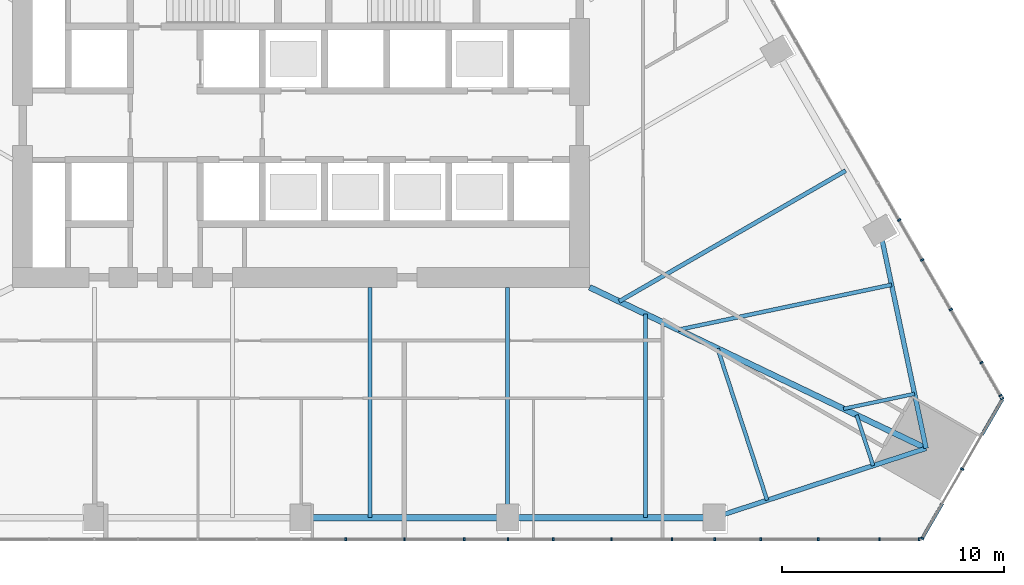
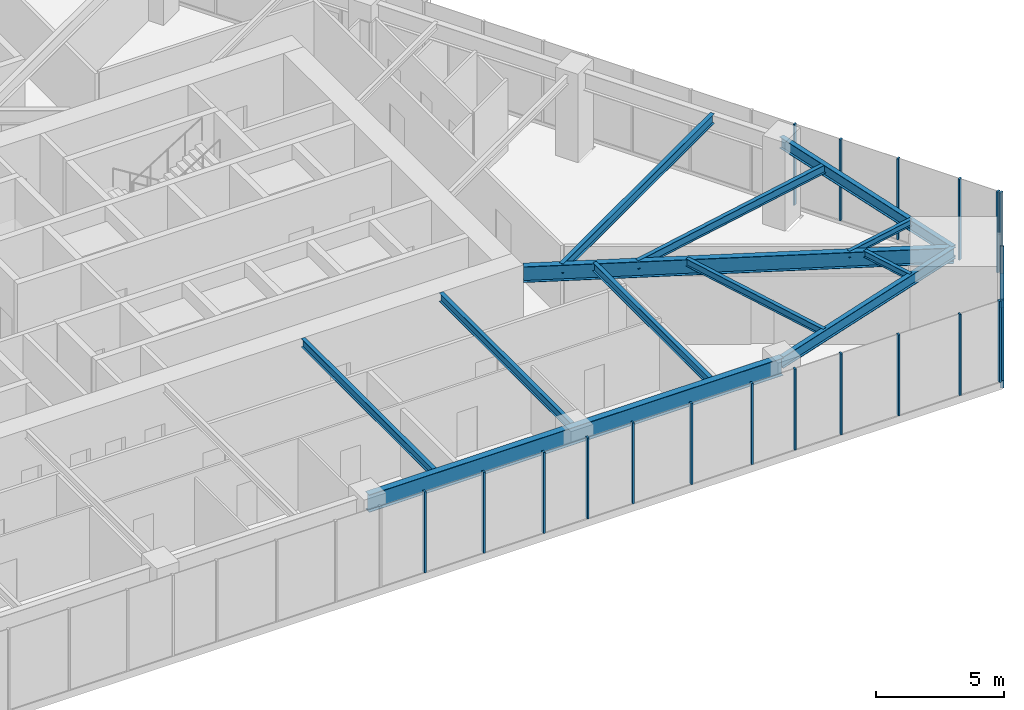
# One storey, part 6 of 26: 22 members, 12 beams, 3 elements without a shape of their own.
"""IFC4 building model written with IfcOpenShell, lengths in metres."""

import ifcopenshell
import ifcopenshell.guid

model = None  # the IFC model being written
_history = None  # IfcOwnerHistory: only IFC2X3 demands one
_inside = {}  # id of a spatial element -> (the spatial element, [elements in it])
_under = {}  # id of a project, library or spatial element -> (it, [spatial elements below it])
_declared = {}  # id of a project -> (the project, [libraries it declares])
_typed = {}  # id of a type object -> (the type object, [elements of that type])
_made_of = {}  # id of a material, layer set ... -> (it, [elements and type objects made of it])


def new_model(schema):
    """Start an empty IFC model of exactly this schema.

    Asked for "IFC4X3", IfcOpenShell would pick the latest addendum, in which some entities
    have other attributes; the version numbers below select the first issue.
    IFC2X3 requires an IfcOwnerHistory on every rooted entity: one is made here for all.
    """
    global model, _history
    if schema == "IFC4X3":
        model = ifcopenshell.file(schema_version=(4, 3, 0, 0))
    else:
        model = ifcopenshell.file(schema=schema)
    _inside.clear()
    _under.clear()
    _declared.clear()
    _typed.clear()
    _made_of.clear()
    _history = None
    if model.schema == "IFC2X3":
        org = make("IfcOrganization", Name="unknown")
        user = make(
            "IfcPersonAndOrganization",
            ThePerson=make("IfcPerson", FamilyName="unknown"),
            TheOrganization=org,
        )
        app = make(
            "IfcApplication",
            ApplicationDeveloper=org,
            Version="unknown",
            ApplicationFullName="unknown",
            ApplicationIdentifier="unknown",
        )
        _history = make(
            "IfcOwnerHistory",
            OwningUser=user,
            OwningApplication=app,
            ChangeAction="ADDED",
            CreationDate=0,
        )
    return model


def make(cls, **values):
    """One entity of the class cls with the attributes given. An attribute that is None is left unset."""
    return model.create_entity(
        cls, **{name: value for name, value in values.items() if value is not None}
    )


def rooted(cls, **values):
    """An entity with a GlobalId (a new one), such as an element, a storey or a relation."""
    return make(cls, GlobalId=ifcopenshell.guid.new(), OwnerHistory=_history, **values)


def si_unit(unit_type, name, prefix=None):
    """IfcSIUnit, for example si_unit("LENGTHUNIT", "METRE", prefix="MILLI")."""
    return make("IfcSIUnit", UnitType=unit_type, Prefix=prefix, Name=name)


def assignment(units):
    """IfcUnitAssignment: the units of a project."""
    return None if units is None else make("IfcUnitAssignment", Units=units)


def point(xyz):
    """IfcCartesianPoint."""
    return None if xyz is None else make("IfcCartesianPoint", Coordinates=xyz)


def direction(xyz):
    """IfcDirection."""
    return None if xyz is None else make("IfcDirection", DirectionRatios=xyz)


def frame(location, z_axis=None, x_axis=None):
    """IfcAxis2Placement3D, a coordinate frame: its origin and axes. An axis left out is left unset."""
    return make(
        "IfcAxis2Placement3D",
        Location=point(location),
        Axis=direction(z_axis),
        RefDirection=direction(x_axis),
    )


def frame_2d(location, x_axis=None):
    """IfcAxis2Placement2D, a coordinate frame in the plane: its origin and x axis."""
    return make(
        "IfcAxis2Placement2D", Location=point(location), RefDirection=direction(x_axis)
    )


def origin():
    """The frame at (0, 0, 0) with its axes left unset."""
    return frame((0.0, 0.0, 0.0))


def origin_2d():
    """The frame at (0, 0) in the plane with its x axis left unset."""
    return frame_2d((0.0, 0.0))


def place(relative_to, where):
    """IfcLocalPlacement: puts the frame where relative to a parent placement (None: the world)."""
    return make(
        "IfcLocalPlacement", PlacementRelTo=relative_to, RelativePlacement=where
    )


def context(
    kind, dimensions, precision=None, world=None, true_north=None, identifier=None
):
    """IfcGeometricRepresentationContext, for example the 3D "Model" context."""
    return make(
        "IfcGeometricRepresentationContext",
        ContextIdentifier=identifier,
        ContextType=kind,
        CoordinateSpaceDimension=dimensions,
        Precision=precision,
        WorldCoordinateSystem=world,
        TrueNorth=true_north,
    )


def subcontext(parent, identifier, kind, view, scale=None):
    """IfcGeometricRepresentationSubContext, for example "Body" below "Model"."""
    return make(
        "IfcGeometricRepresentationSubContext",
        ContextIdentifier=identifier,
        ContextType=kind,
        ParentContext=parent,
        TargetScale=scale,
        TargetView=view,
    )


def project(units=None, contexts=None):
    """IfcProject with its units and contexts."""
    return rooted(
        "IfcProject",
        Name="project",
        RepresentationContexts=contexts,
        UnitsInContext=assignment(units),
    )


def spatial(cls, under=None, at=None, **own):
    """A site, building, storey or space (cls), placed at a placement, below another one or the project."""
    s = rooted(cls, ObjectPlacement=at, **own)
    if under is not None:
        _under.setdefault(under.id(), (under, []))[1].append(s)
    return s


def profile(cls, at=None, kind="AREA", **sizes):
    """A parametric profile (cls). Its sizes go by their IFC names, for example OverallWidth=200.0."""
    return make(cls, ProfileType=kind, Position=at, **sizes)


def rectangle(**sizes):
    """IfcRectangleProfileDef."""
    return profile("IfcRectangleProfileDef", **sizes)


def i_section(**sizes):
    """IfcIShapeProfileDef."""
    return profile("IfcIShapeProfileDef", **sizes)


def extrude(swept, where, along, depth):
    """IfcExtrudedAreaSolid: the profile swept, set in the frame where, extruded along a direction by depth."""
    return make(
        "IfcExtrudedAreaSolid",
        SweptArea=swept,
        Position=where,
        ExtrudedDirection=direction(along),
        Depth=depth,
    )


def shape(context_of_items, identifier, shape_type, items):
    """IfcShapeRepresentation: the items that make up one representation, for example the "Body"."""
    return make(
        "IfcShapeRepresentation",
        ContextOfItems=context_of_items,
        RepresentationIdentifier=identifier,
        RepresentationType=shape_type,
        Items=items,
    )


def material(Name=None, Category=None):
    """IfcMaterial."""
    return make("IfcMaterial", Name=Name, Category=Category)


def layer(
    of_material, thickness, ventilated=None, Name=None, Category=None, Priority=None
):
    """IfcMaterialLayer: one layer of a wall or slab, of a material (None: an air gap)."""
    return make(
        "IfcMaterialLayer",
        Material=of_material,
        LayerThickness=thickness,
        IsVentilated=ventilated,
        Name=Name,
        Category=Category,
        Priority=Priority,
    )


def layer_set(layers, Name=None):
    """IfcMaterialLayerSet."""
    return make("IfcMaterialLayerSet", MaterialLayers=layers, LayerSetName=Name)


def material_profile(
    of_material, cross_section, Name=None, Category=None, Priority=None
):
    """IfcMaterialProfile: a cross section and its material."""
    return make(
        "IfcMaterialProfile",
        Name=Name,
        Material=of_material,
        Profile=cross_section,
        Priority=Priority,
        Category=Category,
    )


def profile_set(profiles, Name=None, composite=None):
    """IfcMaterialProfileSet."""
    return make(
        "IfcMaterialProfileSet",
        Name=Name,
        MaterialProfiles=profiles,
        CompositeProfile=composite,
    )


def made_of(thing, what):
    """Note that an element or type object is made of a material, layer set ...; save() writes the relation."""
    if what is not None:
        _made_of.setdefault(what.id(), (what, []))[1].append(thing)
    return thing


def type_object(cls, material=None, **own):
    """A type object (cls), such as IfcWallType, which elements share."""
    return made_of(rooted(cls, **own), material)


def element(
    cls,
    number,
    at=None,
    inside=None,
    cuts=None,
    type_object=None,
    material=None,
    context=None,
    identifier="Body",
    shape_type=None,
    held_by="IfcProductDefinitionShape",
    body=None,
    shapes=None,
    **own,
):
    """One element of the class cls, such as IfcWall. Its Tag is "e" and its number.

    at: its placement. inside: the storey or other place that contains it. cuts: it is an
    opening in that element (IfcRelVoidsElement). A single representation is given by context,
    identifier, shape_type and body (its items); several are given by shapes. held_by: the class
    of the entity that holds the representations. save() writes the other relations.
    """
    e = rooted(cls, Tag="e%d" % number, ObjectPlacement=at, **own)
    if body is not None:
        shapes = [shape(context, identifier, shape_type, body)]
    if shapes is not None:
        e.Representation = make(held_by, Representations=shapes)
    if inside is not None:
        _inside.setdefault(inside.id(), (inside, []))[1].append(e)
    if cuts is not None:
        rooted(
            "IfcRelVoidsElement", RelatingBuildingElement=cuts, RelatedOpeningElement=e
        )
    if type_object is not None:
        _typed.setdefault(type_object.id(), (type_object, []))[1].append(e)
    return made_of(e, material)


def aggregate(whole, parts):
    """IfcRelAggregates: a whole, such as a stair, and the parts it consists of."""
    return rooted("IfcRelAggregates", RelatingObject=whole, RelatedObjects=parts)


def save(model, path):
    """Write the relations noted so far, then the file.

    IfcRelAggregates (storeys below a building ...), IfcRelContainedInSpatialStructure (elements
    in a storey), IfcRelDefinesByType, IfcRelAssociatesMaterial and IfcRelDeclares: one each for
    every whole, place, type object, material and project.
    """
    for whole, parts in _under.values():
        aggregate(whole, parts)
    for where, things in _inside.values():
        rooted(
            "IfcRelContainedInSpatialStructure",
            RelatedElements=things,
            RelatingStructure=where,
        )
    for kind, things in _typed.values():
        rooted("IfcRelDefinesByType", RelatedObjects=things, RelatingType=kind)
    for what, things in _made_of.values():
        rooted("IfcRelAssociatesMaterial", RelatedObjects=things, RelatingMaterial=what)
    for by, libraries in _declared.values():
        rooted("IfcRelDeclares", RelatingContext=by, RelatedDefinitions=libraries)
    model.write(path)


model = new_model("IFC4")

# Units and contexts
model_context = context("Model", 3, precision=1e-05, world=origin(), true_north=direction((0.0, 1.0)))
body_context = subcontext(model_context, "Body", "Model", "MODEL_VIEW")
ifc_project = project(units=[si_unit("LENGTHUNIT", "METRE"), si_unit("AREAUNIT", "SQUARE_METRE"), si_unit("VOLUMEUNIT", "CUBIC_METRE"), si_unit("PLANEANGLEUNIT", "RADIAN"), si_unit("MASSUNIT", "GRAM", prefix="KILO")], contexts=[model_context])

# Site, building, storey
site_placement = place(None, origin())
site = spatial("IfcSite", under=ifc_project, at=site_placement, CompositionType="ELEMENT")
building_placement = place(site_placement, origin())
building = spatial("IfcBuilding", under=site, at=building_placement, Name="Firuza Gate Tower and Library", CompositionType="ELEMENT")
storey_placement = place(building_placement, frame((0.0, 0.0, 115.60009765625)))
storey = spatial("IfcBuildingStorey", under=building, at=storey_placement, Name="L26", CompositionType="ELEMENT", Elevation=115.60009765625)

# Curtain wall, members
ifc_material_1 = material(Name="Aluminium 6063-T6", Category="aluminium")
ifc_layer_1 = layer(ifc_material_1, 0.14990234375)
ifc_layer_set_1 = layer_set([ifc_layer_1], Name="Unitised curtain wall, offices")
curtain_wall_type_1 = type_object("IfcCurtainWallType", Name="Unitised curtain wall, offices", PredefinedType="NOTDEFINED", material=ifc_layer_set_1)
placement = place(storey_placement, origin())
curtain_wall_1 = element("IfcCurtainWall", 1, at=placement, inside=storey, type_object=curtain_wall_type_1, Name="CW1 L26 S face", PredefinedType="NOTDEFINED")
ifc_material_2 = material(Name="Aluminium 6063-T6", Category="aluminium")
ifc_material_profile_1 = material_profile(ifc_material_2, rectangle(XDim=0.14990234375, YDim=0.080078125, at=origin_2d()))
ifc_profile_set_1 = profile_set([ifc_material_profile_1], Name="Aluminium 6063-T6")
member_type_1 = type_object("IfcMemberType", Name="Curtain wall mullion 80x150", PredefinedType="MULLION", material=ifc_profile_set_1)
member_1_placement = place(storey_placement, frame((79.65966796875, 54.6513671875, 0.14990234375), z_axis=(0.0, 0.0, 1.0), x_axis=(0.0, 1.0, 0.0)))
member_1 = element("IfcMember", 2, at=member_1_placement, type_object=member_type_1, Name="Mullion", PredefinedType="MULLION", context=body_context, shape_type="SweptSolid", body=[
    extrude(rectangle(XDim=0.14990234375, YDim=0.080078125, at=origin_2d()), origin(), (0.0, 0.0, 1.0), 3.85009765625),
])
member_2_placement = place(storey_placement, frame((84.319580078125, 54.6513671875, 0.14990234375), z_axis=(0.0, 0.0, 1.0), x_axis=(0.0, 1.0, 0.0)))
member_2 = element("IfcMember", 3, at=member_2_placement, type_object=member_type_1, Name="Mullion", PredefinedType="MULLION", context=body_context, shape_type="SweptSolid", body=[
    extrude(rectangle(XDim=0.14990234375, YDim=0.080078125, at=origin_2d()), origin(), (0.0, 0.0, 1.0), 3.85009765625),
])
member_3_placement = place(storey_placement, frame((88.979248046875, 54.6513671875, 0.14990234375), z_axis=(0.0, 0.0, 1.0), x_axis=(0.0, 1.0, 0.0)))
member_3 = element("IfcMember", 4, at=member_3_placement, type_object=member_type_1, Name="Mullion", PredefinedType="MULLION", context=body_context, shape_type="SweptSolid", body=[
    extrude(rectangle(XDim=0.14990234375, YDim=0.080078125, at=origin_2d()), origin(), (0.0, 0.0, 1.0), 3.85009765625),
])
member_4_placement = place(storey_placement, frame((93.638916015625, 54.6513671875, 0.14990234375), z_axis=(0.0, 0.0, 1.0), x_axis=(0.0, 1.0, 0.0)))
member_4 = element("IfcMember", 5, at=member_4_placement, type_object=member_type_1, Name="Mullion", PredefinedType="MULLION", context=body_context, shape_type="SweptSolid", body=[
    extrude(rectangle(XDim=0.14990234375, YDim=0.080078125, at=origin_2d()), origin(), (0.0, 0.0, 1.0), 3.85009765625),
])
member_5_placement = place(storey_placement, frame((98.298828125, 54.6513671875, 0.14990234375), z_axis=(0.0, 0.0, 1.0), x_axis=(0.0, 1.0, 0.0)))
member_5 = element("IfcMember", 6, at=member_5_placement, type_object=member_type_1, Name="Mullion", PredefinedType="MULLION", context=body_context, shape_type="SweptSolid", body=[
    extrude(rectangle(XDim=0.14990234375, YDim=0.080078125, at=origin_2d()), origin(), (0.0, 0.0, 1.0), 3.85009765625),
])
member_6_placement = place(storey_placement, frame((77.00439453125, 54.6513671875, 0.14990234375), z_axis=(0.0, 0.0, 1.0), x_axis=(0.0, 1.0, 0.0)))
member_6 = element("IfcMember", 7, at=member_6_placement, type_object=member_type_1, Name="Mullion", PredefinedType="MULLION", context=body_context, shape_type="SweptSolid", body=[
    extrude(rectangle(XDim=0.14990234375, YDim=0.080078125, at=origin_2d()), origin(), (0.0, 0.0, 1.0), 3.85009765625),
])
member_7_placement = place(storey_placement, frame((82.349853515625, 54.6513671875, 0.14990234375), z_axis=(0.0, 0.0, 1.0), x_axis=(0.0, 1.0, 0.0)))
member_7 = element("IfcMember", 8, at=member_7_placement, type_object=member_type_1, Name="Mullion", PredefinedType="MULLION", context=body_context, shape_type="SweptSolid", body=[
    extrude(rectangle(XDim=0.14990234375, YDim=0.080078125, at=origin_2d()), origin(), (0.0, 0.0, 1.0), 3.85009765625),
])
member_8_placement = place(storey_placement, frame((86.358642578125, 54.6513671875, 0.14990234375), z_axis=(0.0, 0.0, 1.0), x_axis=(0.0, 1.0, 0.0)))
member_8 = element("IfcMember", 9, at=member_8_placement, type_object=member_type_1, Name="Mullion", PredefinedType="MULLION", context=body_context, shape_type="SweptSolid", body=[
    extrude(rectangle(XDim=0.14990234375, YDim=0.080078125, at=origin_2d()), origin(), (0.0, 0.0, 1.0), 3.85009765625),
])
member_9_placement = place(storey_placement, frame((91.7041015625, 54.6513671875, 0.14990234375), z_axis=(0.0, 0.0, 1.0), x_axis=(0.0, 1.0, 0.0)))
member_9 = element("IfcMember", 10, at=member_9_placement, type_object=member_type_1, Name="Mullion", PredefinedType="MULLION", context=body_context, shape_type="SweptSolid", body=[
    extrude(rectangle(XDim=0.14990234375, YDim=0.080078125, at=origin_2d()), origin(), (0.0, 0.0, 1.0), 3.85009765625),
])
member_10_placement = place(storey_placement, frame((95.712646484375, 54.6513671875, 0.14990234375), z_axis=(0.0, 0.0, 1.0), x_axis=(0.0, 1.0, 0.0)))
member_10 = element("IfcMember", 11, at=member_10_placement, type_object=member_type_1, Name="Mullion", PredefinedType="MULLION", context=body_context, shape_type="SweptSolid", body=[
    extrude(rectangle(XDim=0.14990234375, YDim=0.080078125, at=origin_2d()), origin(), (0.0, 0.0, 1.0), 3.85009765625),
])
member_11_placement = place(storey_placement, frame((101.058349609375, 54.6513671875, 0.14990234375), z_axis=(0.0, 0.0, 1.0), x_axis=(0.0, 1.0, 0.0)))
member_11 = element("IfcMember", 12, at=member_11_placement, type_object=member_type_1, Name="Mullion", PredefinedType="MULLION", context=body_context, shape_type="SweptSolid", body=[
    extrude(rectangle(XDim=0.14990234375, YDim=0.080078125, at=origin_2d()), origin(), (0.0, 0.0, 1.0), 3.85009765625),
])
member_12_placement = place(storey_placement, frame((102.83984375, 54.6513671875, 0.14990234375), z_axis=(0.0, 0.0, 1.0), x_axis=(0.0, 1.0, 0.0)))
member_12 = element("IfcMember", 13, at=member_12_placement, type_object=member_type_1, Name="Mullion", PredefinedType="MULLION", context=body_context, shape_type="SweptSolid", body=[
    extrude(rectangle(XDim=0.14990234375, YDim=0.080078125, at=origin_2d()), origin(), (0.0, 0.0, 1.0), 3.85009765625),
])
aggregate(curtain_wall_1, [member_1, member_2, member_3, member_4, member_5, member_6, member_7, member_8, member_9, member_10, member_11, member_12])

ifc_material_3 = material(Name="Aluminium 6063-T6", Category="aluminium")
ifc_layer_2 = layer(ifc_material_3, 0.14990234375)
ifc_layer_set_2 = layer_set([ifc_layer_2], Name="Corner curtain wall, chamfers")
curtain_wall_type_2 = type_object("IfcCurtainWallType", Name="Corner curtain wall, chamfers", PredefinedType="NOTDEFINED", material=ifc_layer_set_2)
curtain_wall_2 = element("IfcCurtainWall", 14, at=placement, inside=storey, type_object=curtain_wall_type_2, Name="CW4 L26 SE corner", PredefinedType="NOTDEFINED")
member_13_placement = place(storey_placement, frame((102.978515625, 54.685791015625, 0.14990234375), z_axis=(0.0, 0.0, 1.0), x_axis=(-0.866025403784, 0.5, 0.0)))
member_13 = element("IfcMember", 15, at=member_13_placement, type_object=member_type_1, Name="Mullion", PredefinedType="MULLION", context=body_context, shape_type="SweptSolid", body=[
    extrude(rectangle(XDim=0.14990234375, YDim=0.080078125, at=origin_2d()), origin(), (0.0, 0.0, 1.0), 3.85009765625),
])
member_14_placement = place(storey_placement, frame((104.780029296875, 57.806396484375, 0.14990234375), z_axis=(0.0, 0.0, 1.0), x_axis=(-0.866025403784, 0.5, 0.0)))
member_14 = element("IfcMember", 16, at=member_14_placement, type_object=member_type_1, Name="Mullion", PredefinedType="MULLION", context=body_context, shape_type="SweptSolid", body=[
    extrude(rectangle(XDim=0.14990234375, YDim=0.080078125, at=origin_2d()), origin(), (0.0, 0.0, 1.0), 3.85009765625),
])

curtain_wall_3 = element("IfcCurtainWall", 17, at=placement, inside=storey, type_object=curtain_wall_type_1, Name="CW1 L26 E face", PredefinedType="NOTDEFINED")
member_15_placement = place(storey_placement, frame((106.581787109375, 60.996337890625, 0.14990234375), z_axis=(0.0, 0.0, 1.0), x_axis=(-0.866025403784, -0.5, 0.0)))
member_15 = element("IfcMember", 18, at=member_15_placement, type_object=member_type_1, Name="Mullion", PredefinedType="MULLION", context=body_context, shape_type="SweptSolid", body=[
    extrude(rectangle(XDim=0.14990234375, YDim=0.080078125, at=origin_2d()), origin(), (0.0, 0.0, 1.0), 3.85009765625),
])
member_16_placement = place(storey_placement, frame((104.27197265625, 64.9970703125, 0.14990234375), z_axis=(0.0, 0.0, 1.0), x_axis=(-0.866025403784, -0.5, 0.0)))
member_16 = element("IfcMember", 19, at=member_16_placement, type_object=member_type_1, Name="Mullion", PredefinedType="MULLION", context=body_context, shape_type="SweptSolid", body=[
    extrude(rectangle(XDim=0.14990234375, YDim=0.080078125, at=origin_2d()), origin(), (0.0, 0.0, 1.0), 3.85009765625),
])
member_17_placement = place(storey_placement, frame((101.942138671875, 69.032470703125, 0.14990234375), z_axis=(0.0, 0.0, 1.0), x_axis=(-0.866025403784, -0.5, 0.0)))
member_17 = element("IfcMember", 20, at=member_17_placement, type_object=member_type_1, Name="Mullion", PredefinedType="MULLION", context=body_context, shape_type="SweptSolid", body=[
    extrude(rectangle(XDim=0.14990234375, YDim=0.080078125, at=origin_2d()), origin(), (0.0, 0.0, 1.0), 3.85009765625),
])
member_18_placement = place(storey_placement, frame((106.510009765625, 61.12060546875, 0.14990234375), z_axis=(0.0, 0.0, 1.0), x_axis=(-0.866025403784, -0.5, 0.0)))
member_18 = element("IfcMember", 21, at=member_18_placement, type_object=member_type_1, Name="Mullion", PredefinedType="MULLION", context=body_context, shape_type="SweptSolid", body=[
    extrude(rectangle(XDim=0.14990234375, YDim=0.080078125, at=origin_2d()), origin(), (0.0, 0.0, 1.0), 3.85009765625),
])
member_19_placement = place(storey_placement, frame((105.651611328125, 62.607177734375, 0.14990234375), z_axis=(0.0, 0.0, 1.0), x_axis=(-0.866025403784, -0.5, 0.0)))
member_19 = element("IfcMember", 22, at=member_19_placement, type_object=member_type_1, Name="Mullion", PredefinedType="MULLION", context=body_context, shape_type="SweptSolid", body=[
    extrude(rectangle(XDim=0.14990234375, YDim=0.080078125, at=origin_2d()), origin(), (0.0, 0.0, 1.0), 3.85009765625),
])
member_20_placement = place(storey_placement, frame((102.97900390625, 67.236572265625, 0.14990234375), z_axis=(0.0, 0.0, 1.0), x_axis=(-0.866025403784, -0.5, 0.0)))
member_20 = element("IfcMember", 23, at=member_20_placement, type_object=member_type_1, Name="Mullion", PredefinedType="MULLION", context=body_context, shape_type="SweptSolid", body=[
    extrude(rectangle(XDim=0.14990234375, YDim=0.080078125, at=origin_2d()), origin(), (0.0, 0.0, 1.0), 3.85009765625),
])
aggregate(curtain_wall_3, [member_15, member_16, member_17, member_18, member_19, member_20])

# Member
ifc_material_4 = material(Name="Aluminium 6063-T6", Category="aluminium")
ifc_material_profile_2 = material_profile(ifc_material_4, rectangle(XDim=0.14990234375, YDim=0.35009765625, at=origin_2d()))
ifc_profile_set_2 = profile_set([ifc_material_profile_2], Name="Aluminium 6063-T6")
member_type_2 = type_object("IfcMemberType", Name="Curtain wall transom 350x150", PredefinedType="USERDEFINED", material=ifc_profile_set_2)
member_21_placement = place(storey_placement, frame((102.95849609375, 54.6513671875, -0.025146484375), z_axis=(0.499971966783, 0.866041588165, 0.0), x_axis=(-0.866041588165, 0.499971966783, 0.0)))
member_21 = element("IfcMember", 24, at=member_21_placement, type_object=member_type_2, Name="Transom", ObjectType="TRANSOM", PredefinedType="USERDEFINED", context=body_context, shape_type="SweptSolid", body=[
    extrude(rectangle(XDim=0.14990234375, YDim=0.35009765625, at=origin_2d()), origin(), (0.0, 0.0, 1.0), 1.86328125),
])

member_22_placement = place(storey_placement, frame((105.669921875, 59.34765625, -0.025146484375), z_axis=(0.500013496215, 0.866017611601, 0.0), x_axis=(-0.866017611601, 0.500013496215, 0.0)))
member_22 = element("IfcMember", 25, at=member_22_placement, type_object=member_type_2, Name="Transom", ObjectType="TRANSOM", PredefinedType="USERDEFINED", context=body_context, shape_type="SweptSolid", body=[
    extrude(rectangle(XDim=0.14990234375, YDim=0.35009765625, at=origin_2d()), origin(), (0.0, 0.0, 1.0), 1.86376953125),
])

aggregate(curtain_wall_2, [member_13, member_14, member_21, member_22])

# Beams
ifc_material_5 = material(Name="Steel S355", Category="steel")
ifc_material_profile_3 = material_profile(ifc_material_5, i_section(OverallWidth=0.1650390625, OverallDepth=0.31005859375, WebThickness=0.005859375, FlangeThickness=0.009765625, at=origin_2d()))
ifc_profile_set_3 = profile_set([ifc_material_profile_3], Name="Steel S355")
beam_type_1 = type_object("IfcBeamType", Name="W310x39 Floor beam", PredefinedType="JOIST", material=ifc_profile_set_3)
beam_1_placement = place(storey_placement, frame((100.769775390625, 57.964599609375, 3.844970703125), z_axis=(-0.31050698786, 0.95057109702, 0.0), x_axis=(-0.95057109702, -0.31050698786, 0.0)))
element("IfcBeam", 26, at=beam_1_placement, inside=storey, type_object=beam_type_1, Name="Floor beam L26 s31", PredefinedType="JOIST", context=body_context, shape_type="SweptSolid", body=[
    extrude(i_section(OverallWidth=0.1650390625, OverallDepth=0.31005859375, WebThickness=0.005859375, FlangeThickness=0.009765625, at=origin_2d()), origin(), (0.0, 0.0, 1.0), 2.396484375),
])
beam_2_placement = place(storey_placement, frame((102.637939453125, 61.200439453125, 3.844970703125), z_axis=(-0.978457064739, -0.206450411631, 0.0), x_axis=(0.206450411631, -0.978457064739, 0.0)))
element("IfcBeam", 27, at=beam_2_placement, inside=storey, type_object=beam_type_1, Name="Floor beam L26 s40", PredefinedType="JOIST", context=body_context, shape_type="SweptSolid", body=[
    extrude(i_section(OverallWidth=0.1650390625, OverallDepth=0.31005859375, WebThickness=0.005859375, FlangeThickness=0.009765625, at=origin_2d()), origin(), (0.0, 0.0, 1.0), 3.272216796875),
])
ifc_material_6 = material(Name="Steel S355", Category="steel")
ifc_material_profile_4 = material_profile(ifc_material_6, i_section(OverallWidth=0.1708984375, OverallDepth=0.35498046875, WebThickness=0.007080078125, FlangeThickness=0.01171875, at=origin_2d()))
ifc_profile_set_4 = profile_set([ifc_material_profile_4], Name="Steel S355")
beam_type_2 = type_object("IfcBeamType", Name="W360x51 Floor beam", PredefinedType="JOIST", material=ifc_profile_set_4)
beam_3_placement = place(storey_placement, frame((95.99658203125, 56.40576171875, 3.822509765625), z_axis=(-0.310435598009, 0.950594413769, 0.0), x_axis=(-0.950594413769, -0.310435598009, 0.0)))
element("IfcBeam", 28, at=beam_3_placement, inside=storey, type_object=beam_type_2, Name="Floor beam L26 s30", PredefinedType="JOIST", context=body_context, shape_type="SweptSolid", body=[
    extrude(i_section(OverallWidth=0.1708984375, OverallDepth=0.35498046875, WebThickness=0.007080078125, FlangeThickness=0.01171875, at=origin_2d()), origin(), (0.0, 0.0, 1.0), 7.189697265625),
])
ifc_material_7 = material(Name="Steel S355", Category="steel")
ifc_material_profile_5 = material_profile(ifc_material_7, i_section(OverallWidth=0.177978515625, OverallDepth=0.406982421875, WebThickness=0.0078125, FlangeThickness=0.0126953125, at=origin_2d()))
ifc_profile_set_5 = profile_set([ifc_material_profile_5], Name="Steel S355")
beam_type_3 = type_object("IfcBeamType", Name="W410x60 Floor beam", PredefinedType="JOIST", material=ifc_profile_set_5)
for number, where, z_axis, x_axis, name in (
    (29, (78.101806640625, 55.626220703125, 3.79638671875), (0.0, 1.0, 0.0), (-1.0, 0.0, 0.0), "Floor beam L26 s23"),
    (30, (84.30517578125, 55.626220703125, 3.79638671875), (0.0, 1.0, 0.0), (-1.0, 0.0, 0.0), "Floor beam L26 s24"),
):
    element("IfcBeam", number, at=place(storey_placement, frame(where, z_axis=z_axis, x_axis=x_axis)), inside=storey, type_object=beam_type_3, Name=name, PredefinedType="JOIST", context=body_context, shape_type="SweptSolid", body=[
        extrude(i_section(OverallWidth=0.177978515625, OverallDepth=0.406982421875, WebThickness=0.0078125, FlangeThickness=0.0126953125, at=origin_2d()), origin(), (0.0, 0.0, 1.0), 10.373779296875),
    ])
beam_4_placement = place(storey_placement, frame((90.508544921875, 55.626220703125, 3.79638671875), z_axis=(0.0, 1.0, 0.0), x_axis=(-1.0, 0.0, 0.0)))
element("IfcBeam", 31, at=beam_4_placement, inside=storey, type_object=beam_type_3, Name="Floor beam L26 s25", PredefinedType="JOIST", context=body_context, shape_type="SweptSolid", body=[
    extrude(i_section(OverallWidth=0.177978515625, OverallDepth=0.406982421875, WebThickness=0.0078125, FlangeThickness=0.0126953125, at=origin_2d()), origin(), (0.0, 0.0, 1.0), 9.1728515625),
])
beam_5_placement = place(storey_placement, frame((101.6015625, 66.113525390625, 3.79638671875), z_axis=(-0.978460244471, -0.206435340942, 0.0), x_axis=(0.206435340942, -0.978460244471, 0.0)))
element("IfcBeam", 32, at=beam_5_placement, inside=storey, type_object=beam_type_3, Name="Floor beam L26 s41", PredefinedType="JOIST", context=body_context, shape_type="SweptSolid", body=[
    extrude(i_section(OverallWidth=0.177978515625, OverallDepth=0.406982421875, WebThickness=0.0078125, FlangeThickness=0.0126953125, at=origin_2d()), origin(), (0.0, 0.0, 1.0), 9.817138671875),
])
ifc_material_8 = material(Name="Steel S355", Category="steel")
ifc_material_profile_6 = material_profile(ifc_material_8, i_section(OverallWidth=0.18994140625, OverallDepth=0.45703125, WebThickness=0.009033203125, FlangeThickness=0.014404296875, at=origin_2d()))
ifc_profile_set_6 = profile_set([ifc_material_profile_6], Name="Steel S355")
beam_type_4 = type_object("IfcBeamType", Name="W460x74 Floor beam", PredefinedType="JOIST", material=ifc_profile_set_6)
beam_6_placement = place(storey_placement, frame((99.532470703125, 71.256103515625, 3.771484375), z_axis=(-0.866031359964, -0.499989683453, 0.0), x_axis=(0.499989683453, -0.866031359964, 0.0)))
element("IfcBeam", 33, at=beam_6_placement, inside=storey, type_object=beam_type_4, Name="Floor beam L26 s50", PredefinedType="JOIST", context=body_context, shape_type="SweptSolid", body=[
    extrude(i_section(OverallWidth=0.18994140625, OverallDepth=0.45703125, WebThickness=0.009033203125, FlangeThickness=0.014404296875, at=origin_2d()), origin(), (0.0, 0.0, 1.0), 11.783447265625),
])
ifc_material_9 = material(Name="Steel S355", Category="steel")
ifc_material_profile_7 = material_profile(ifc_material_9, i_section(OverallWidth=0.212890625, OverallDepth=0.5390625, WebThickness=0.01171875, FlangeThickness=0.018798828125, at=origin_2d()))
ifc_profile_set_7 = profile_set([ifc_material_profile_7], Name="Steel S355")
beam_type_5 = type_object("IfcBeamType", Name="W530x109 Edge beam", PredefinedType="SPANDREL", material=ifc_profile_set_7)
beam_7_placement = place(storey_placement, frame((93.610107421875, 55.626220703125, 3.73046875), z_axis=(0.950588765818, 0.310452892241, 0.0), x_axis=(-0.310452892241, 0.950588765818, 0.0)))
element("IfcBeam", 34, at=beam_7_placement, inside=storey, type_object=beam_type_5, Name="Edge beam L26 e30", PredefinedType="SPANDREL", context=body_context, shape_type="SweptSolid", body=[
    extrude(i_section(OverallWidth=0.212890625, OverallDepth=0.5390625, WebThickness=0.01171875, FlangeThickness=0.018798828125, at=origin_2d()), origin(), (0.0, 0.0, 1.0), 10.042236328125),
])
beam_8_placement = place(storey_placement, frame((103.15625, 58.743896484375, 3.73046875), z_axis=(-0.206423360116, 0.978462772107, 0.0), x_axis=(-0.978462772107, -0.206423360116, 0.0)))
element("IfcBeam", 35, at=beam_8_placement, inside=storey, type_object=beam_type_5, Name="Edge beam L26 e40", PredefinedType="SPANDREL", context=body_context, shape_type="SweptSolid", body=[
    extrude(i_section(OverallWidth=0.212890625, OverallDepth=0.5390625, WebThickness=0.01171875, FlangeThickness=0.018798828125, at=origin_2d()), origin(), (0.0, 0.0, 1.0), 10.04248046875),
])
ifc_material_10 = material(Name="Steel S355", Category="steel")
ifc_material_profile_8 = material_profile(ifc_material_10, i_section(OverallWidth=0.264892578125, OverallDepth=0.7529296875, WebThickness=0.01318359375, FlangeThickness=0.01708984375, at=origin_2d()))
ifc_profile_set_8 = profile_set([ifc_material_profile_8], Name="Steel S355")
beam_type_6 = type_object("IfcBeamType", Name="W760x147 Girder", PredefinedType="BEAM", material=ifc_profile_set_8)
beam_9_placement = place(storey_placement, frame((103.15625, 58.743896484375, 3.623291015625), z_axis=(-0.901961298657, 0.431816877535, 0.0), x_axis=(-0.431816877535, -0.901961298657, 0.0)))
element("IfcBeam", 36, at=beam_9_placement, inside=storey, type_object=beam_type_6, Name="Girder L26 gSE", PredefinedType="BEAM", context=body_context, shape_type="SweptSolid", body=[
    extrude(i_section(OverallWidth=0.264892578125, OverallDepth=0.7529296875, WebThickness=0.01318359375, FlangeThickness=0.01708984375, at=origin_2d()), origin(), (0.0, 0.0, 1.0), 16.8037109375),
])
ifc_material_11 = material(Name="Steel S355", Category="steel")
ifc_material_profile_9 = material_profile(ifc_material_11, i_section(OverallWidth=0.2919921875, OverallDepth=0.8349609375, WebThickness=0.013916015625, FlangeThickness=0.018798828125, at=origin_2d()))
ifc_profile_set_9 = profile_set([ifc_material_profile_9], Name="Steel S355")
beam_type_7 = type_object("IfcBeamType", Name="W840x176 Edge beam", PredefinedType="SPANDREL", material=ifc_profile_set_9)
beam_10_placement = place(storey_placement, frame((75.0, 55.626220703125, 3.58251953125), z_axis=(1.0, 0.0, 0.0), x_axis=(0.0, 1.0, 0.0)))
element("IfcBeam", 37, at=beam_10_placement, inside=storey, type_object=beam_type_7, Name="Edge beam L26 e22", PredefinedType="SPANDREL", context=body_context, shape_type="SweptSolid", body=[
    extrude(i_section(OverallWidth=0.2919921875, OverallDepth=0.8349609375, WebThickness=0.013916015625, FlangeThickness=0.018798828125, at=origin_2d()), origin(), (0.0, 0.0, 1.0), 18.610107421875),
])

save(model, "model.ifc")
